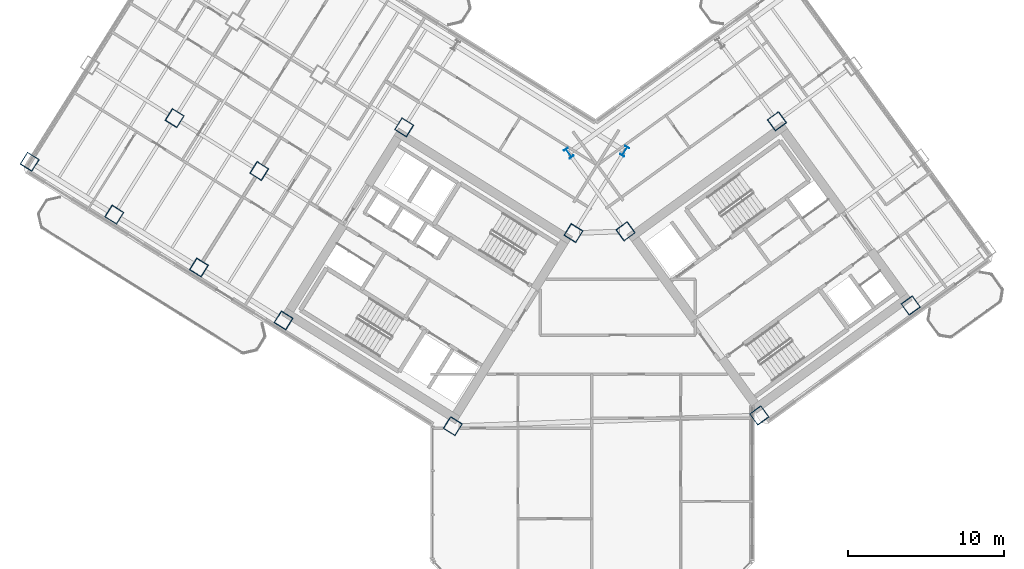
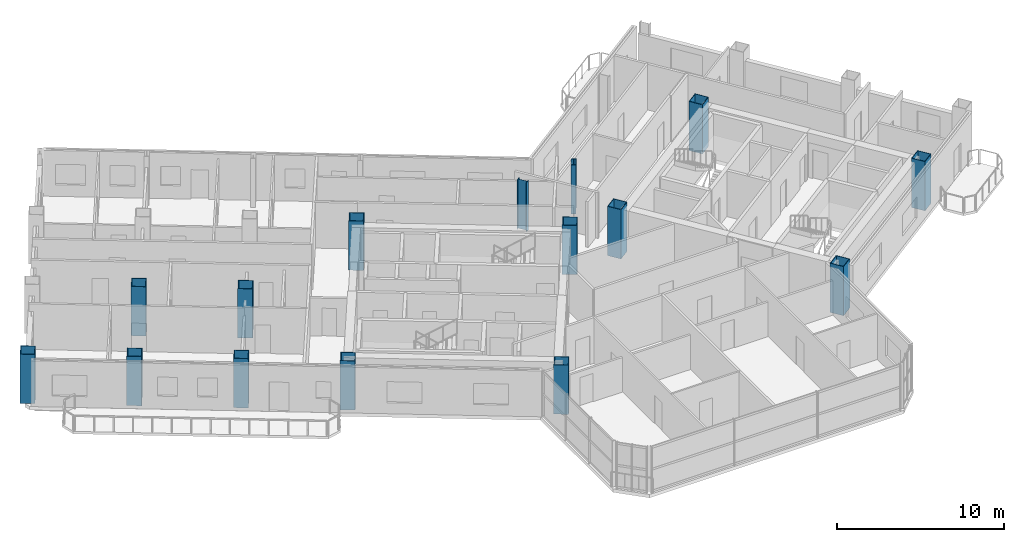
# One storey, part 1 of 21: 15 columns.
"""IFC4 building model written with IfcOpenShell, lengths in metres."""

from ifc_helpers import new_model, si_unit, direction, frame, origin, origin_2d, place, context, subcontext, project, spatial, hollow_rectangle, i_section, extrude, source, transform, mapped, material, material_profile, profile_set, type_object, element, save


model = new_model("IFC4")

# Units and contexts
model_context = context("Model", 3, precision=1e-05, world=origin(), true_north=direction((0.0, 1.0)))
body_context = subcontext(model_context, "Body", "Model", "MODEL_VIEW")
ifc_project = project(units=[si_unit("LENGTHUNIT", "METRE"), si_unit("AREAUNIT", "SQUARE_METRE"), si_unit("VOLUMEUNIT", "CUBIC_METRE"), si_unit("PLANEANGLEUNIT", "RADIAN"), si_unit("MASSUNIT", "GRAM", prefix="KILO")], contexts=[model_context])

# Site, building, storey
site_placement = place(None, origin())
site = spatial("IfcSite", under=ifc_project, at=site_placement, CompositionType="ELEMENT")
building_placement = place(site_placement, origin())
building = spatial("IfcBuilding", under=site, at=building_placement, Name="Tlacorven Tower", CompositionType="ELEMENT")
storey_placement = place(building_placement, frame((0.0, 0.0, 119.699951171875)))
storey = spatial("IfcBuildingStorey", under=building, at=storey_placement, Name="L30", CompositionType="ELEMENT", Elevation=119.699951171875)

# Columns
ifc_material = material(Name="Steel S460M", Category="steel")
ifc_material_profile_1 = material_profile(ifc_material, i_section(OverallWidth=0.300048828125, OverallDepth=0.64990234375, WebThickness=0.01611328125, FlangeThickness=0.031005859375, at=origin_2d()), Name="HEB 650")
ifc_profile_set_1 = profile_set([ifc_material_profile_1], Name="Steel S460M")
column_type_1 = type_object("IfcColumnType", Name="COL-TWR-P1", PredefinedType="COLUMN", material=ifc_profile_set_1)
shared_shape_1 = source(origin(), body_context, "Body", "SweptSolid", [
    extrude(i_section(OverallWidth=0.300048828125, OverallDepth=0.64990234375, WebThickness=0.01611328125, FlangeThickness=0.031005859375, at=origin_2d()), origin(), (0.0, 0.0, 1.0), 3.60009765625),
])
for number, where, z_axis, x_axis, name in (
    (1, (44.068359375, 29.726318359375, 0.0), (0.0, 0.0, 1.0), (-0.848048096156, 0.529919264233, 0.0), "L30 column COL-L30-W1-1"),
    (2, (40.4794921875, 29.60107421875, 0.0), (0.0, 0.0, 1.0), (0.809016994375, 0.587785252292, 0.0), "L30 column COL-L30-E1-4"),
):
    element("IfcColumn", number, at=place(storey_placement, frame(where, z_axis=z_axis, x_axis=x_axis)), inside=storey, type_object=column_type_1, Name=name, PredefinedType="COLUMN", context=body_context, shape_type="MappedRepresentation", body=[
        mapped(shared_shape_1, transform((0.0, 0.0, 0.0), scale=1.0)),
    ])
ifc_material_profile_2 = material_profile(ifc_material, hollow_rectangle(XDim=0.89990234375, YDim=0.89990234375, WallThickness=0.035888671875, at=origin_2d()), Name="BOX 900X900X36")
ifc_profile_set_2 = profile_set([ifc_material_profile_2], Name="Steel S460M")
column_type_2 = type_object("IfcColumnType", Name="COL-TWR-S2", PredefinedType="COLUMN", material=ifc_profile_set_2)
shared_shape_2 = source(origin(), body_context, "Body", "SweptSolid", [
    extrude(hollow_rectangle(XDim=0.89990234375, YDim=0.89990234375, WallThickness=0.035888671875, at=origin_2d()), origin(), (0.0, 0.0, 1.0), 3.60009765625),
])
for number, where, z_axis, x_axis, name in (
    (3, (40.782958984375, 24.468505859375, 0.0), (0.0, 0.0, 1.0), (-0.848048096156, 0.529919264233, 0.0), "L30 column COL-L30-W1-2"),
    (4, (33.046142578125, 12.0869140625, 0.0), (0.0, 0.0, 1.0), (-0.848048096156, 0.529919264233, 0.0), "L30 column COL-L30-W1-4"),
    (5, (29.927978515625, 31.25146484375, 0.0), (0.0, 0.0, 1.0), (-0.848048096156, 0.529919264233, 0.0), "L30 column COL-L30-W3-2"),
    (6, (22.191162109375, 18.869873046875, 0.0), (0.0, 0.0, 1.0), (-0.848048096156, 0.529919264233, 0.0), "L30 column COL-L30-W3-4"),
    (7, (20.632080078125, 28.4521484375, 0.0), (0.0, 0.0, 1.0), (-0.848048096156, 0.529919264233, 0.0), "L30 column COL-L30-W4-3"),
    (8, (16.763671875, 22.26123046875, 0.0), (0.0, 0.0, 1.0), (-0.848048096156, 0.529919264233, 0.0), "L30 column COL-L30-W4-4"),
    (9, (15.20458984375, 31.843505859375, 0.0), (0.0, 0.0, 1.0), (-0.848048096156, 0.529919264233, 0.0), "L30 column COL-L30-W5-3"),
    (10, (11.336181640625, 25.65283203125, 0.0), (0.0, 0.0, 1.0), (-0.848048096156, 0.529919264233, 0.0), "L30 column COL-L30-W5-4"),
    (11, (5.90869140625, 29.044189453125, 0.0), (0.0, 0.0, 1.0), (-0.848048096156, 0.529919264233, 0.0), "L30 column COL-L30-W6-4"),
    (12, (52.705322265625, 12.7734375, 0.0), (0.0, 0.0, 1.0), (0.809016994375, 0.587785252292, 0.0), "L30 column COL-L30-E1-1"),
    (13, (44.123779296875, 24.5849609375, 0.0), (0.0, 0.0, 1.0), (0.809016994375, 0.587785252292, 0.0), "L30 column COL-L30-E1-3"),
    (14, (62.41357421875, 19.826904296875, 0.0), (0.0, 0.0, 1.0), (0.809016994375, 0.587785252292, 0.0), "L30 column COL-L30-E3-1"),
    (15, (53.83203125, 31.638427734375, 0.0), (0.0, 0.0, 1.0), (0.809016994375, 0.587785252292, 0.0), "L30 column COL-L30-E3-3"),
):
    element("IfcColumn", number, at=place(storey_placement, frame(where, z_axis=z_axis, x_axis=x_axis)), inside=storey, type_object=column_type_2, Name=name, PredefinedType="COLUMN", context=body_context, shape_type="MappedRepresentation", body=[
        mapped(shared_shape_2, transform((0.0, 0.0, 0.0), scale=1.0)),
    ])

save(model, "model.ifc")
